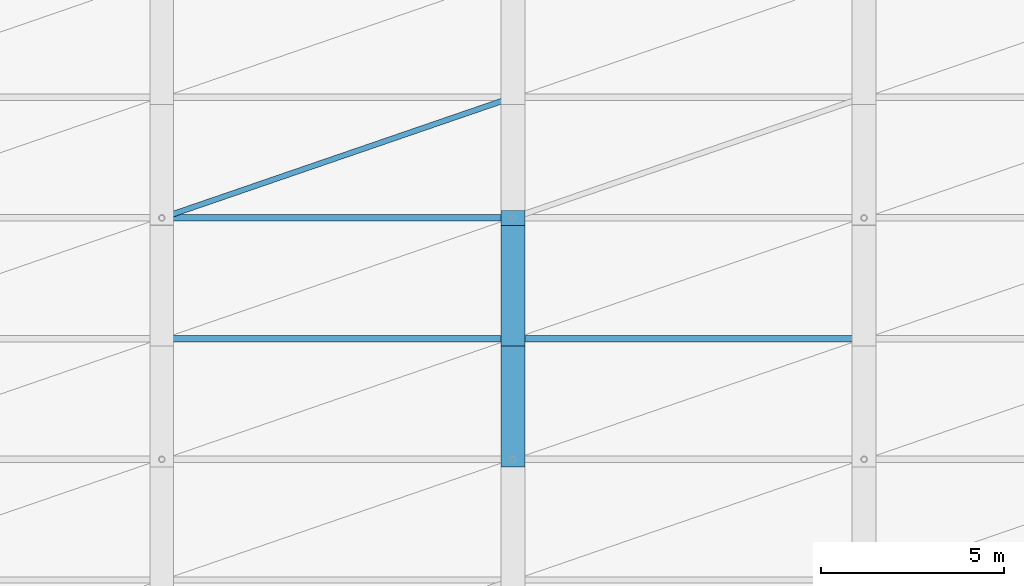
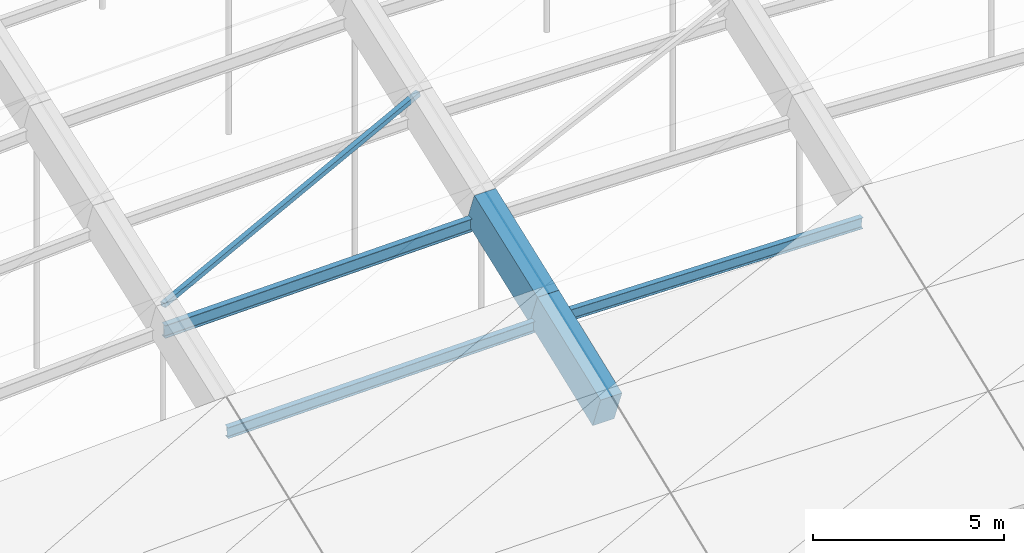
# One storey, part 11 of 43: 4 members, 2 beams.
"""IFC4 building model written with IfcOpenShell, lengths in metres."""

from ifc_helpers import new_model, si_unit, direction, frame, origin, origin_2d, place, context, subcontext, project, spatial, rectangle, hollow_rectangle, i_section, extrude, material, material_profile, profile_set, type_object, element, save


model = new_model("IFC4")

# Units and contexts
model_context = context("Model", 3, precision=1e-05, world=origin(), true_north=direction((0.0, 1.0)))
body_context = subcontext(model_context, "Body", "Model", "MODEL_VIEW")
ifc_project = project(units=[si_unit("LENGTHUNIT", "METRE"), si_unit("AREAUNIT", "SQUARE_METRE"), si_unit("VOLUMEUNIT", "CUBIC_METRE"), si_unit("PLANEANGLEUNIT", "RADIAN"), si_unit("MASSUNIT", "GRAM", prefix="KILO")], contexts=[model_context])

# Site, building, storey
site_placement = place(None, origin())
site = spatial("IfcSite", under=ifc_project, at=site_placement, CompositionType="ELEMENT")
building_placement = place(site_placement, origin())
building = spatial("IfcBuilding", under=site, at=building_placement, Name="Chalmorin Arch Market", CompositionType="ELEMENT")
storey_placement = place(building_placement, frame((0.0, 0.0, 18.60009765625)))
storey = spatial("IfcBuildingStorey", under=building, at=storey_placement, Name="RF", CompositionType="ELEMENT", Elevation=18.60009765625)

# Beams
ifc_material_1 = material(Name="Concrete C50/60", Category="concrete")
ifc_material_profile_1 = material_profile(ifc_material_1, rectangle(XDim=0.64990234375, YDim=1.14990234375, at=origin_2d()), Name="RC650X1150")
ifc_profile_set_1 = profile_set([ifc_material_profile_1], Name="Concrete C50/60")
beam_type = type_object("IfcBeamType", Name="ArchRibChord-650x1150", PredefinedType="BEAM", material=ifc_profile_set_1)
beam_1_placement = place(storey_placement, frame((86.39990234375, 12.60009765625, 0.7470703125), z_axis=(0.0, 0.932568098274, 0.360994102558), x_axis=(-1.0, 0.0, 0.0)))
element("IfcBeam", 1, at=beam_1_placement, inside=storey, type_object=beam_type, Name="AR-01-1663", PredefinedType="BEAM", context=body_context, shape_type="SweptSolid", body=[
    extrude(rectangle(XDim=0.64990234375, YDim=1.14990234375, at=origin_2d()), origin(), (0.0, 0.0, 1.0), 3.538330078125),
])
beam_2_placement = place(storey_placement, frame((86.39990234375, 15.89990234375, 2.0244140625), z_axis=(0.0, 0.935481753697, 0.353374996994), x_axis=(-1.0, 0.0, 0.0)))
element("IfcBeam", 2, at=beam_2_placement, inside=storey, type_object=beam_type, Name="AR-01-1664", PredefinedType="BEAM", context=body_context, shape_type="SweptSolid", body=[
    extrude(rectangle(XDim=0.64990234375, YDim=1.14990234375, at=origin_2d()), origin(), (0.0, 0.0, 1.0), 3.527587890625),
])

# Members
ifc_material_2 = material(Name="Steel A992 Grade 50", Category="steel")
ifc_material_profile_2 = material_profile(ifc_material_2, i_section(OverallWidth=0.1708984375, OverallDepth=0.35107421875, WebThickness=0.0068359375, FlangeThickness=0.009765625, FilletRadius=0.014892578125, at=origin_2d()), Name="W14X30")
ifc_profile_set_2 = profile_set([ifc_material_profile_2], Name="Steel A992 Grade 50")
member_type_1 = type_object("IfcMemberType", Name="RoofSteelPurlin-W14X30", PredefinedType="PURLIN", material=ifc_profile_set_2)
member_1_placement = place(storey_placement, frame((76.820068359375, 15.89990234375, 1.388671875), z_axis=(0.999867289257, 0.0, 0.016291220741), x_axis=(0.0, 1.0, 0.0)))
element("IfcMember", 3, at=member_1_placement, inside=storey, type_object=member_type_1, Name="PR-W14-0242", PredefinedType="PURLIN", context=body_context, shape_type="SweptSolid", body=[
    extrude(i_section(OverallWidth=0.1708984375, OverallDepth=0.35107421875, WebThickness=0.0068359375, FlangeThickness=0.009765625, FilletRadius=0.014892578125, at=origin_2d()), origin(), (0.0, 0.0, 1.0), 9.56103515625),
])
member_2_placement = place(storey_placement, frame((86.419921875, 15.89990234375, 1.54443359375), z_axis=(0.999867296034, 0.0, -0.016290804813), x_axis=(0.0, 1.0, 0.0)))
element("IfcMember", 4, at=member_2_placement, inside=storey, type_object=member_type_1, Name="PR-W14-0263", PredefinedType="PURLIN", context=body_context, shape_type="SweptSolid", body=[
    extrude(i_section(OverallWidth=0.1708984375, OverallDepth=0.35107421875, WebThickness=0.0068359375, FlangeThickness=0.009765625, FilletRadius=0.014892578125, at=origin_2d()), origin(), (0.0, 0.0, 1.0), 9.561279296875),
])
ifc_material_profile_3 = material_profile(ifc_material_2, i_section(OverallWidth=0.178955078125, OverallDepth=0.409912109375, WebThickness=0.0087890625, FlangeThickness=0.014404296875, FilletRadius=0.01806640625, at=origin_2d()), Name="W16X45")
ifc_profile_set_3 = profile_set([ifc_material_profile_3], Name="Steel A992 Grade 50")
member_type_2 = type_object("IfcMemberType", Name="RoofSteelPurlin-W16X45", PredefinedType="PURLIN", material=ifc_profile_set_3)
member_3_placement = place(storey_placement, frame((76.820068359375, 19.199951171875, 2.618408203125), z_axis=(0.99983703894, 0.0, 0.018052577739), x_axis=(0.0, 1.0, 0.0)))
element("IfcMember", 5, at=member_3_placement, inside=storey, type_object=member_type_2, Name="PR-W16-0243", PredefinedType="PURLIN", context=body_context, shape_type="SweptSolid", body=[
    extrude(i_section(OverallWidth=0.178955078125, OverallDepth=0.409912109375, WebThickness=0.0087890625, FlangeThickness=0.014404296875, FilletRadius=0.01806640625, at=origin_2d()), origin(), (0.0, 0.0, 1.0), 9.561279296875),
])
ifc_material_3 = material(Name="Steel A500 Grade C", Category="steel")
ifc_material_profile_4 = material_profile(ifc_material_3, hollow_rectangle(XDim=0.15234375, YDim=0.15234375, WallThickness=0.0087890625, at=origin_2d()), Name="HSS6X6X3/8")
ifc_profile_set_4 = profile_set([ifc_material_profile_4], Name="Steel A500 Grade C")
member_type_3 = type_object("IfcMemberType", Name="VaultWindBrace-HSS6X6", PredefinedType="BRACE", material=ifc_profile_set_4)
member_4_placement = place(storey_placement, frame((76.800048828125, 19.199951171875, 3.448486328125), z_axis=(0.936960247125, 0.322089765275, 0.135512650375), x_axis=(-0.325088506439, 0.945683595597, 0.0)))
element("IfcMember", 6, at=member_4_placement, inside=storey, type_object=member_type_3, Name="BR-HS6-0257", ObjectType="Diagonal brace", PredefinedType="BRACE", context=body_context, shape_type="SweptSolid", body=[
    extrude(hollow_rectangle(XDim=0.15234375, YDim=0.15234375, WallThickness=0.0087890625, at=origin_2d()), origin(), (0.0, 0.0, 1.0), 10.245849609375),
])

save(model, "model.ifc")
